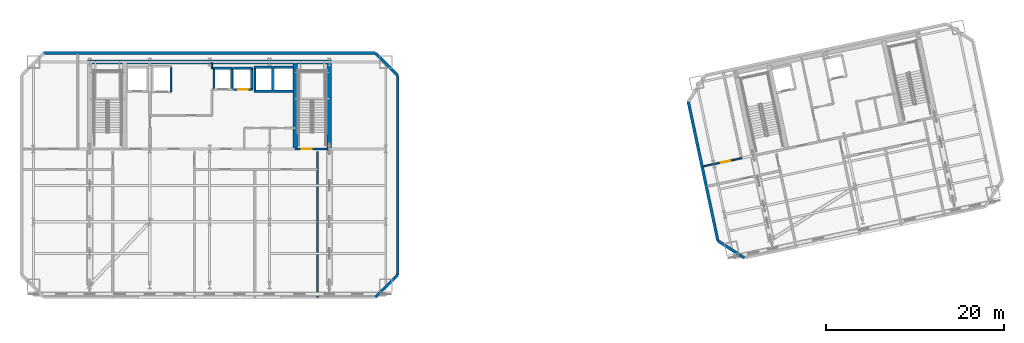
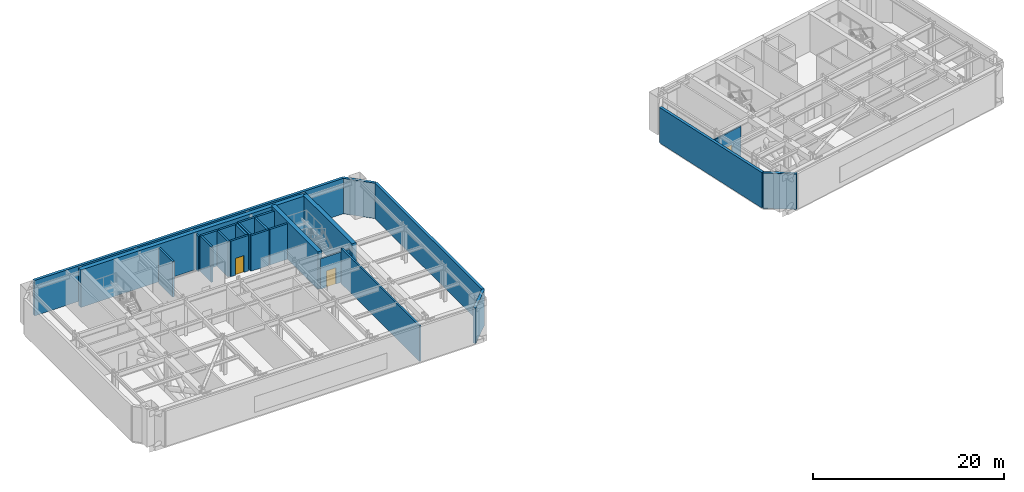
# One storey, part 9 of 15: 26 walls, 3 doors, 3 openings.
"""IFC4 building model written with IfcOpenShell, lengths in metres."""

from ifc_helpers import new_model, si_unit, direction, frame, frame_2d, origin, place, context, subcontext, project, spatial, rectangle, extrude, material, layer, layer_set, type_object, element, fill, save


model = new_model("IFC4")

# Units and contexts
model_context = context("Model", 3, precision=1e-05, world=origin(), true_north=direction((0.0, 1.0)))
body_context = subcontext(model_context, "Body", "Model", "MODEL_VIEW")
ifc_project = project(units=[si_unit("LENGTHUNIT", "METRE"), si_unit("AREAUNIT", "SQUARE_METRE"), si_unit("VOLUMEUNIT", "CUBIC_METRE"), si_unit("PLANEANGLEUNIT", "RADIAN"), si_unit("MASSUNIT", "GRAM", prefix="KILO")], contexts=[model_context])

# Site, building, storey
site_placement = place(None, origin())
site = spatial("IfcSite", under=ifc_project, at=site_placement, CompositionType="ELEMENT")
building_placement = place(site_placement, origin())
building = spatial("IfcBuilding", under=site, at=building_placement, Name="Haevon Station Towers", CompositionType="ELEMENT")
storey_placement = place(building_placement, frame((0.0, 0.0, 138.0)))
storey = spatial("IfcBuildingStorey", under=building, at=storey_placement, Name="L37", CompositionType="ELEMENT", Elevation=138.0)

# Wall, opening, door
ifc_material_1 = material(Name="Gypsum board on steel stud", Category="steel")
ifc_layer_1 = layer(ifc_material_1, 0.199951171875)
ifc_layer_set_1 = layer_set([ifc_layer_1], Name="Gypsum board on steel stud")
wall_type_1 = type_object("IfcWallType", Name="WL-COR200", PredefinedType="PARTITIONING", material=ifc_layer_set_1)
wall_1_placement = place(storey_placement, frame((47.14990234375, 38.199951171875, 0.0), z_axis=(0.0, 0.0, 1.0), x_axis=(1.0, 0.0, 0.0)))
wall_1 = element("IfcWall", 1, at=wall_1_placement, inside=storey, type_object=wall_type_1, Name="WL-ST-ST2-L37", PredefinedType="PARTITIONING", context=body_context, shape_type="SweptSolid", body=[
    extrude(rectangle(XDim=3.85009765625, YDim=0.199951171875, at=frame_2d((1.925048828125, 0.0))), origin(), (0.0, 0.0, 1.0), 3.8798828125),
])
opening_1_placement = place(wall_1_placement, frame((0.75, 0.0, 0.0)))
opening_1 = element("IfcOpeningElement", 2, at=opening_1_placement, cuts=wall_1, Name="Opening DR-ST-ST2-L37", PredefinedType="OPENING", context=body_context, shape_type="SweptSolid", body=[
    extrude(rectangle(XDim=1.1201171875, YDim=2.10009765625, at=frame_2d((0.56005859375, 1.050048828125))), frame((0.0, 0.10986328125, 0.0), z_axis=(0.0, -1.0, 0.0), x_axis=(1.0, 0.0, 0.0)), (0.0, 0.0, 1.0), 0.219970703125),
])
ifc_material_2 = material(Name="Engineered oak timber", Category="wood")
door_type_1 = type_object("IfcDoorType", Name="DR-ST-1120", OperationType="NOTDEFINED", PredefinedType="DOOR", material=ifc_material_2)
door_1_placement = place(opening_1_placement, origin())
door_1 = element("IfcDoor", 3, at=door_1_placement, inside=storey, type_object=door_type_1, Name="L37 Escape Stair ST2 Fire Door", OperationType="SINGLE_SWING_RIGHT", OverallHeight=2.10009765625, OverallWidth=1.1201171875, PredefinedType="DOOR", context=body_context, shape_type="SweptSolid", body=[
    extrude(rectangle(XDim=1.1201171875, YDim=2.10009765625, at=frame_2d((0.56005859375, 1.050048828125))), frame((0.0, 0.02490234375, 0.0), z_axis=(0.0, -1.0, 0.0), x_axis=(1.0, 0.0, 0.0)), (0.0, 0.0, 1.0), 0.050048828125),
])
fill(opening_1, door_1)

# Walls
wall_2_placement = place(storey_placement, frame((49.64990234375, 21.5, 0.0), z_axis=(0.0, 0.0, 1.0), x_axis=(0.0, 1.0, 0.0)))
element("IfcWall", 4, at=wall_2_placement, inside=storey, type_object=wall_type_1, Name="WL-T1PT-L37-08", PredefinedType="PARTITIONING", context=body_context, shape_type="SweptSolid", body=[
    extrude(rectangle(XDim=16.39990234375, YDim=0.199951171875, at=frame_2d((8.199951171875, 0.0))), origin(), (0.0, 0.0, 1.0), 4.530029296875),
])
ifc_material_3 = material(Name="Concrete C60/75", Category="concrete")
ifc_layer_2 = layer(ifc_material_3, 0.5)
ifc_layer_set_2 = layer_set([ifc_layer_2], Name="Concrete C60/75")
wall_type_2 = type_object("IfcWallType", Name="WL-CR500", PredefinedType="SHEAR", material=ifc_layer_set_2)
wall_3_placement = place(storey_placement, frame((23.75, 48.0, 0.0), z_axis=(0.0, 0.0, 1.0), x_axis=(1.0, 0.0, 0.0)))
element("IfcWall", 5, at=wall_3_placement, inside=storey, type_object=wall_type_2, Name="WL-T1CR-L37-N", PredefinedType="SHEAR", context=body_context, shape_type="SweptSolid", body=[
    extrude(rectangle(XDim=27.5, YDim=0.5, at=frame_2d((13.75, 0.0))), origin(), (0.0, 0.0, 1.0), 4.800048828125),
])
wall_4_placement = place(storey_placement, frame((51.0, 37.679931640625, 0.0), z_axis=(0.0, 0.0, 1.0), x_axis=(0.0, 1.0, 0.0)))
element("IfcWall", 6, at=wall_4_placement, inside=storey, type_object=wall_type_2, Name="WL-T1CR-L37-E", PredefinedType="SHEAR", context=body_context, shape_type="SweptSolid", body=[
    extrude(rectangle(XDim=10.320068359375, YDim=0.5, at=frame_2d((5.16015625, 0.0))), origin(), (0.0, 0.0, 1.0), 4.800048828125),
])
wall_5_placement = place(storey_placement, frame((47.14990234375, 38.199951171875, 0.0), z_axis=(0.0, 0.0, 1.0), x_axis=(0.0, 1.0, 0.0)))
element("IfcWall", 7, at=wall_5_placement, inside=storey, type_object=wall_type_2, Name="WL-T1CR-L37-M2", PredefinedType="SHEAR", context=body_context, shape_type="SweptSolid", body=[
    extrude(rectangle(XDim=9.800048828125, YDim=0.5, at=frame_2d((4.89990234375, 0.0))), origin(), (0.0, 0.0, 1.0), 4.800048828125),
])
ifc_material_4 = material(Name="Precast concrete C45/55", Category="concrete")
ifc_layer_3 = layer(ifc_material_4, 0.320068359375)
ifc_layer_set_3 = layer_set([ifc_layer_3], Name="Precast concrete C45/55")
wall_type_3 = type_object("IfcWallType", Name="WL-EXT-PIER320", PredefinedType="SOLIDWALL", material=ifc_layer_set_3)
wall_6_placement = place(storey_placement, frame((18.800048828125, 49.0, 0.0), z_axis=(0.0, 0.0, 1.0), x_axis=(1.0, 0.0, 0.0)))
element("IfcWall", 8, at=wall_6_placement, inside=storey, type_object=wall_type_3, Name="WL-T1-L37-N", PredefinedType="SOLIDWALL", context=body_context, shape_type="SweptSolid", body=[
    extrude(rectangle(XDim=37.39990234375, YDim=0.320068359375, at=frame_2d((18.699951171875, 0.0))), origin(), (0.0, 0.0, 1.0), 4.530029296875),
])
wall_7_placement = place(storey_placement, frame((56.199951171875, 49.0, 0.0), z_axis=(0.0, 0.0, 1.0), x_axis=(0.707106781187, -0.707106781187, 0.0)))
element("IfcWall", 9, at=wall_7_placement, inside=storey, type_object=wall_type_3, Name="WL-T1-L37-NEC", PredefinedType="SOLIDWALL", context=body_context, shape_type="SweptSolid", body=[
    extrude(rectangle(XDim=3.53564453125, YDim=0.320068359375, at=frame_2d((1.767822265625, 0.0))), origin(), (0.0, 0.0, 1.0), 4.530029296875),
])
wall_8_placement = place(storey_placement, frame((58.699951171875, 46.5, 0.0), z_axis=(0.0, 0.0, 1.0), x_axis=(0.0, -1.0, 0.0)))
element("IfcWall", 10, at=wall_8_placement, inside=storey, type_object=wall_type_3, Name="WL-T1-L37-E", PredefinedType="SOLIDWALL", context=body_context, shape_type="SweptSolid", body=[
    extrude(rectangle(XDim=22.5, YDim=0.320068359375, at=frame_2d((11.25, 0.0))), origin(), (0.0, 0.0, 1.0), 4.530029296875),
])
wall_9_placement = place(storey_placement, frame((58.699951171875, 24.0, 0.0), z_axis=(0.0, 0.0, 1.0), x_axis=(-0.707106781187, -0.707106781187, 0.0)))
element("IfcWall", 11, at=wall_9_placement, inside=storey, type_object=wall_type_3, Name="WL-T1-L37-SEC", PredefinedType="SOLIDWALL", context=body_context, shape_type="SweptSolid", body=[
    extrude(rectangle(XDim=3.53564453125, YDim=0.320068359375, at=frame_2d((1.767822265625, 0.0))), origin(), (0.0, 0.0, 1.0), 4.530029296875),
])
wall_10_placement = place(storey_placement, frame((97.72412109375, 25.927001953125, 0.0), z_axis=(0.0, 0.0, 1.0), x_axis=(-0.838672309694, 0.544636352948, 0.0)))
element("IfcWall", 12, at=wall_10_placement, inside=storey, type_object=wall_type_3, Name="WL-T2-L37-SWC", PredefinedType="SOLIDWALL", context=body_context, shape_type="SweptSolid", body=[
    extrude(rectangle(XDim=3.535400390625, YDim=0.320068359375, at=frame_2d((1.767578125, 0.0))), origin(), (0.0, 0.0, 1.0), 4.530029296875),
])
wall_11_placement = place(storey_placement, frame((94.759033203125, 27.8525390625, 0.0), z_axis=(0.0, 0.0, 1.0), x_axis=(-0.207922793235, 0.978145240776, 0.0)))
element("IfcWall", 13, at=wall_11_placement, inside=storey, type_object=wall_type_3, Name="WL-T2-L37-W", PredefinedType="SOLIDWALL", context=body_context, shape_type="SweptSolid", body=[
    extrude(rectangle(XDim=16.050048828125, YDim=0.320068359375, at=frame_2d((8.02490234375, 0.0))), origin(), (0.0, 0.0, 1.0), 4.530029296875),
])
ifc_layer_4 = layer(ifc_material_1, 0.159912109375)
ifc_layer_set_4 = layer_set([ifc_layer_4], Name="Gypsum board on steel stud")
wall_type_4 = type_object("IfcWallType", Name="WL-PRT160", PredefinedType="PARTITIONING", material=ifc_layer_set_4)
wall_12_placement = place(storey_placement, frame((37.75, 47.25, 0.0), z_axis=(0.0, 0.0, 1.0), x_axis=(0.0, 1.0, 0.0)))
element("IfcWall", 14, at=wall_12_placement, inside=storey, type_object=wall_type_4, Name="WL-T1CW-L37-03", PredefinedType="PARTITIONING", context=body_context, shape_type="SweptSolid", body=[
    extrude(rectangle(XDim=0.64990234375, YDim=0.159912109375, at=frame_2d((0.324951171875, 0.0))), origin(), (0.0, 0.0, 1.0), 4.530029296875),
])

# Wall, opening, door
wall_13_placement = place(storey_placement, frame((93.1181640625, 36.244873046875, 0.0), z_axis=(0.0, 0.0, 1.0), x_axis=(0.978155051948, 0.207876632524, 0.0)))
wall_13 = element("IfcWall", 15, at=wall_13_placement, inside=storey, type_object=wall_type_4, Name="WL-T2PT-L37-01", PredefinedType="PARTITIONING", context=body_context, shape_type="SweptSolid", body=[
    extrude(rectangle(XDim=4.41015625, YDim=0.159912109375, at=frame_2d((2.205078125, 0.0))), origin(), (0.0, 0.0, 1.0), 3.8798828125),
])
opening_2_placement = place(wall_13_placement, frame((2.034912109375, 0.0, 0.0)))
opening_2 = element("IfcOpeningElement", 16, at=opening_2_placement, cuts=wall_13, Name="Opening DR-WL-T2PT-L37-01-01", PredefinedType="OPENING", context=body_context, shape_type="SweptSolid", body=[
    extrude(rectangle(XDim=1.050048828125, YDim=2.10009765625, at=frame_2d((0.52490234375, 1.050048828125))), frame((0.0, 0.08984375, 0.0), z_axis=(0.0, -1.0, 0.0), x_axis=(1.0, 0.0, 0.0)), (0.0, 0.0, 1.0), 0.179931640625),
])
door_type_2 = type_object("IfcDoorType", Name="DR-FD60-1050", OperationType="NOTDEFINED", PredefinedType="DOOR", material=ifc_material_2)
door_2_placement = place(opening_2_placement, origin())
door_2 = element("IfcDoor", 17, at=door_2_placement, inside=storey, type_object=door_type_2, Name="L37 Tower 2 Room Door 1-1", OperationType="SINGLE_SWING_LEFT", OverallHeight=2.10009765625, OverallWidth=1.050048828125, PredefinedType="DOOR", context=body_context, shape_type="SweptSolid", body=[
    extrude(rectangle(XDim=1.050048828125, YDim=2.10009765625, at=frame_2d((0.52490234375, 1.050048828125))), frame((0.0, 0.02490234375, 0.0), z_axis=(0.0, -1.0, 0.0), x_axis=(1.0, 0.0, 0.0)), (0.0, 0.0, 1.0), 0.050048828125),
])
fill(opening_2, door_2)

# Walls
ifc_material_5 = material(Name="Concrete C40/50", Category="concrete")
ifc_layer_5 = layer(ifc_material_5, 0.239990234375)
ifc_layer_set_5 = layer_set([ifc_layer_5], Name="Concrete C40/50")
wall_type_5 = type_object("IfcWallType", Name="WL-SHF240", PredefinedType="PARTITIONING", material=ifc_layer_set_5)
wall_14_placement = place(storey_placement, frame((33.14990234375, 44.60009765625, 0.0), z_axis=(0.0, 0.0, 1.0), x_axis=(0.0, 1.0, 0.0)))
element("IfcWall", 18, at=wall_14_placement, inside=storey, type_object=wall_type_5, Name="WL-SHF-SL1-L37-E", PredefinedType="PARTITIONING", context=body_context, shape_type="SweptSolid", body=[
    extrude(rectangle(XDim=2.89990234375, YDim=0.239990234375, at=frame_2d((1.449951171875, 0.0))), origin(), (0.0, 0.0, 1.0), 4.530029296875),
])
wall_15_placement = place(storey_placement, frame((37.919921875, 47.300048828125, 0.0), z_axis=(0.0, 0.0, 1.0), x_axis=(1.0, 0.0, 0.0)))
element("IfcWall", 19, at=wall_15_placement, inside=storey, type_object=wall_type_5, Name="WL-SHF-PL3-L37-N", PredefinedType="PARTITIONING", context=body_context, shape_type="SweptSolid", body=[
    extrude(rectangle(XDim=2.16015625, YDim=0.239990234375, at=frame_2d((1.080078125, 0.0))), origin(), (0.0, 0.0, 1.0), 4.530029296875),
])
for number, where, z_axis, x_axis, name in (
    (20, (38.0, 44.89990234375, 0.0), (0.0, 0.0, 1.0), (0.0, 1.0, 0.0), "WL-SHF-PL3-L37-W"),
    (21, (40.0, 44.89990234375, 0.0), (0.0, 0.0, 1.0), (0.0, 1.0, 0.0), "WL-SHF-PL3-L37-E"),
):
    element("IfcWall", number, at=place(storey_placement, frame(where, z_axis=z_axis, x_axis=x_axis)), inside=storey, type_object=wall_type_5, Name=name, PredefinedType="PARTITIONING", context=body_context, shape_type="SweptSolid", body=[
        extrude(rectangle(XDim=2.400146484375, YDim=0.239990234375, at=frame_2d((1.2001953125, 0.0))), origin(), (0.0, 0.0, 1.0), 4.530029296875),
    ])

# Wall, opening, door
wall_16_placement = place(storey_placement, frame((40.169921875, 44.89990234375, 0.0), z_axis=(0.0, 0.0, 1.0), x_axis=(1.0, 0.0, 0.0)))
wall_16 = element("IfcWall", 22, at=wall_16_placement, inside=storey, type_object=wall_type_5, Name="WL-SHF-PL4-L37", PredefinedType="PARTITIONING", context=body_context, shape_type="SweptSolid", body=[
    extrude(rectangle(XDim=2.16015625, YDim=0.239990234375, at=frame_2d((1.080078125, 0.0))), origin(), (0.0, 0.0, 1.0), 4.530029296875),
])
opening_3_placement = place(wall_16_placement, frame((0.554931640625, 0.0, 0.0)))
opening_3 = element("IfcOpeningElement", 23, at=opening_3_placement, cuts=wall_16, Name="Opening LD-PL4-L37", PredefinedType="OPENING", context=body_context, shape_type="SweptSolid", body=[
    extrude(rectangle(XDim=1.050048828125, YDim=2.14990234375, at=frame_2d((0.52490234375, 1.074951171875))), frame((0.0, 0.1298828125, 0.0), z_axis=(0.0, -1.0, 0.0), x_axis=(1.0, 0.0, 0.0)), (0.0, 0.0, 1.0), 0.260009765625),
])
ifc_material_6 = material(Name="Stainless steel and rated core", Category="steel")
door_type_3 = type_object("IfcDoorType", Name="LD-PL1050", OperationType="SLIDING_TO_LEFT", PredefinedType="DOOR", material=ifc_material_6)
door_3_placement = place(opening_3_placement, origin())
door_3 = element("IfcDoor", 24, at=door_3_placement, inside=storey, type_object=door_type_3, Name="L37 Lift PL4 Sliding Landing Door", OperationType="SLIDING_TO_LEFT", OverallHeight=2.14990234375, OverallWidth=1.050048828125, PredefinedType="DOOR", context=body_context, shape_type="SweptSolid", body=[
    extrude(rectangle(XDim=1.050048828125, YDim=2.14990234375, at=frame_2d((0.52490234375, 1.074951171875))), frame((0.0, 0.02490234375, 0.0), z_axis=(0.0, -1.0, 0.0), x_axis=(1.0, 0.0, 0.0)), (0.0, 0.0, 1.0), 0.050048828125),
])
fill(opening_3, door_3)

# Walls
wall_17_placement = place(storey_placement, frame((40.169921875, 47.300048828125, 0.0), z_axis=(0.0, 0.0, 1.0), x_axis=(1.0, 0.0, 0.0)))
element("IfcWall", 25, at=wall_17_placement, inside=storey, type_object=wall_type_5, Name="WL-SHF-PL4-L37-N", PredefinedType="PARTITIONING", context=body_context, shape_type="SweptSolid", body=[
    extrude(rectangle(XDim=2.16015625, YDim=0.239990234375, at=frame_2d((1.080078125, 0.0))), origin(), (0.0, 0.0, 1.0), 4.530029296875),
])
wall_18_placement = place(storey_placement, frame((42.25, 44.89990234375, 0.0), z_axis=(0.0, 0.0, 1.0), x_axis=(0.0, 1.0, 0.0)))
element("IfcWall", 26, at=wall_18_placement, inside=storey, type_object=wall_type_5, Name="WL-SHF-PL4-L37-E", PredefinedType="PARTITIONING", context=body_context, shape_type="SweptSolid", body=[
    extrude(rectangle(XDim=2.400146484375, YDim=0.239990234375, at=frame_2d((1.2001953125, 0.0))), origin(), (0.0, 0.0, 1.0), 4.530029296875),
])
for number, where, z_axis, x_axis, name in (
    (27, (42.52001953125, 44.699951171875, 0.0), (0.0, 0.0, 1.0), (1.0, 0.0, 0.0), "WL-SHF-PL5-L37"),
    (28, (42.52001953125, 47.39990234375, 0.0), (0.0, 0.0, 1.0), (1.0, 0.0, 0.0), "WL-SHF-PL5-L37-N"),
):
    element("IfcWall", number, at=place(storey_placement, frame(where, z_axis=z_axis, x_axis=x_axis)), inside=storey, type_object=wall_type_5, Name=name, PredefinedType="PARTITIONING", context=body_context, shape_type="SweptSolid", body=[
        extrude(rectangle(XDim=2.159912109375, YDim=0.239990234375, at=frame_2d((1.080078125, 0.0))), origin(), (0.0, 0.0, 1.0), 4.530029296875),
    ])
for number, where, z_axis, x_axis, name in (
    (29, (42.60009765625, 44.699951171875, 0.0), (0.0, 0.0, 1.0), (0.0, 1.0, 0.0), "WL-SHF-PL5-L37-W"),
    (30, (44.60009765625, 44.699951171875, 0.0), (0.0, 0.0, 1.0), (0.0, 1.0, 0.0), "WL-SHF-PL5-L37-E"),
):
    element("IfcWall", number, at=place(storey_placement, frame(where, z_axis=z_axis, x_axis=x_axis)), inside=storey, type_object=wall_type_5, Name=name, PredefinedType="PARTITIONING", context=body_context, shape_type="SweptSolid", body=[
        extrude(rectangle(XDim=2.699951171875, YDim=0.239990234375, at=frame_2d((1.35009765625, 0.0))), origin(), (0.0, 0.0, 1.0), 4.530029296875),
    ])
for number, where, z_axis, x_axis, name in (
    (31, (44.77001953125, 44.699951171875, 0.0), (0.0, 0.0, 1.0), (1.0, 0.0, 0.0), "WL-SHF-PL6-L37"),
    (32, (44.77001953125, 47.39990234375, 0.0), (0.0, 0.0, 1.0), (1.0, 0.0, 0.0), "WL-SHF-PL6-L37-N"),
):
    element("IfcWall", number, at=place(storey_placement, frame(where, z_axis=z_axis, x_axis=x_axis)), inside=storey, type_object=wall_type_5, Name=name, PredefinedType="PARTITIONING", context=body_context, shape_type="SweptSolid", body=[
        extrude(rectangle(XDim=2.159912109375, YDim=0.239990234375, at=frame_2d((1.080078125, 0.0))), origin(), (0.0, 0.0, 1.0), 4.530029296875),
    ])

save(model, "model.ifc")
